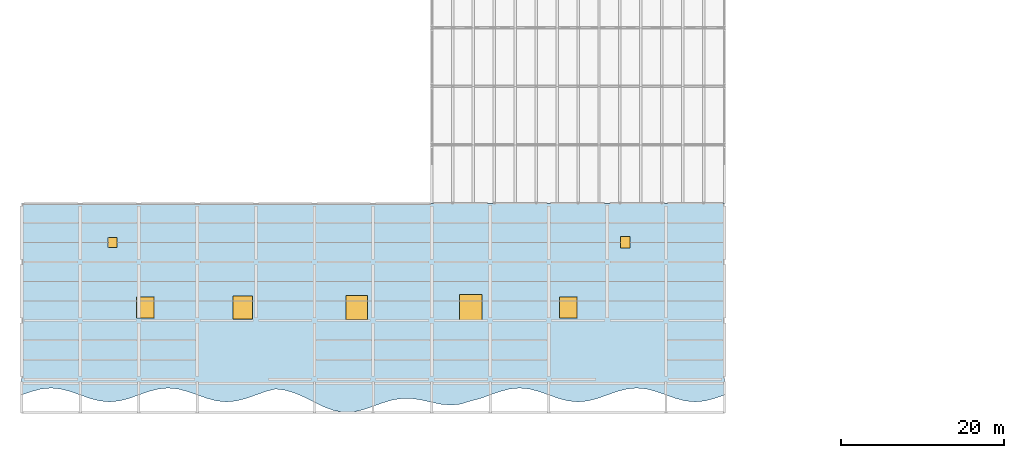
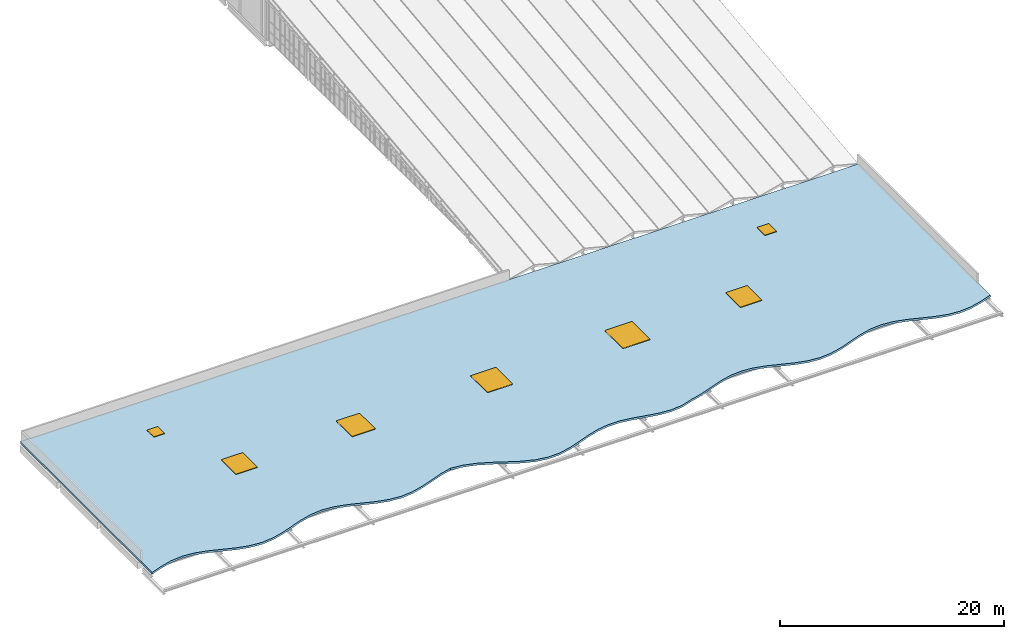
# One storey, part 29 of 48: 5 windows, 2 doors, 1 slab, 7 openings.
"""IFC4 building model written with IfcOpenShell, lengths in metres."""

from ifc_helpers import new_model, si_unit, direction, frame, origin, origin_2d, place, context, subcontext, project, spatial, polyline, rectangle, outline, extrude, material, layer, layer_set, type_object, element, fill, save


model = new_model("IFC4")

# Units and contexts
model_context = context("Model", 3, precision=1e-05, world=origin(), true_north=direction((0.0, 1.0)))
body_context = subcontext(model_context, "Body", "Model", "MODEL_VIEW")
ifc_project = project(units=[si_unit("LENGTHUNIT", "METRE"), si_unit("AREAUNIT", "SQUARE_METRE"), si_unit("VOLUMEUNIT", "CUBIC_METRE"), si_unit("PLANEANGLEUNIT", "RADIAN"), si_unit("MASSUNIT", "GRAM", prefix="KILO"), si_unit("THERMODYNAMICTEMPERATUREUNIT", "KELVIN"), si_unit("POWERUNIT", "WATT")], contexts=[model_context])

# Site, building, storey
site_placement = place(None, origin())
site = spatial("IfcSite", under=ifc_project, at=site_placement, CompositionType="ELEMENT")
building_placement = place(site_placement, origin())
building = spatial("IfcBuilding", under=site, at=building_placement, Name="Kaldorven Railside Theatre", CompositionType="ELEMENT")
storey_placement = place(building_placement, frame((0.0, 0.0, 18.89990234375)))
storey = spatial("IfcBuildingStorey", under=building, at=storey_placement, Name="L04", CompositionType="ELEMENT", Elevation=18.89990234375)

# Slab, openings, doors, windows
ifc_material_1 = material(Name="Concrete C35/45", Category="concrete")
ifc_layer = layer(ifc_material_1, 0.219970703125, Name="Concrete C35/45")
ifc_layer_set = layer_set([ifc_layer], Name="Concrete C35/45")
slab_type = type_object("IfcSlabType", Name="SLB-RSL-220", PredefinedType="ROOF", material=ifc_layer_set)
slab_placement = place(storey_placement, frame((0.0, 0.0, -0.219970703125)))
slab = element("IfcSlab", 1, at=slab_placement, inside=storey, type_object=slab_type, Name="Foyer Scalloped Roof Deck SL-L04-V5RF", PredefinedType="ROOF", context=body_context, shape_type="SweptSolid", body=[
    extrude(outline(polyline([(36.800048828125, 17.25), (38.0, 17.675048828125), (39.199951171875, 17.986083984375), (40.39990234375, 18.10009765625), (41.60009765625, 17.986083984375), (42.800048828125, 17.675048828125), (44.0, 17.25), (45.199951171875, 16.824951171875), (46.39990234375, 16.513916015625), (47.60009765625, 16.39990234375), (48.800048828125, 16.513916015625), (50.0, 16.824951171875), (51.199951171875, 17.25), (52.39990234375, 17.675048828125), (53.60009765625, 17.986083984375), (54.800048828125, 18.10009765625), (56.0, 17.986083984375), (57.199951171875, 17.675048828125), (58.39990234375, 17.25), (59.60009765625, 16.824951171875), (60.800048828125, 16.513916015625), (62.0, 16.39990234375), (63.199951171875, 16.513916015625), (64.39990234375, 16.824951171875), (65.60009765625, 17.25), (66.800048828125, 17.675048828125), (68.0, 17.986083984375), (69.199951171875, 17.830322265625), (70.39990234375, 17.476318359375), (71.60009765625, 16.954345703125), (72.800048828125, 16.347412109375), (74.0, 15.768798828125), (75.199951171875, 15.332275390625), (76.39990234375, 15.12109375), (77.60009765625, 15.165771484375), (78.800048828125, 15.435302734375), (80.0, 15.846435546875), (81.199951171875, 16.285400390625), (82.39990234375, 16.637939453125), (83.60009765625, 16.8212890625), (84.800048828125, 16.8046875), (86.0, 16.618896484375), (87.199951171875, 16.347412109375), (88.39990234375, 16.1044921875), (89.60009765625, 16.004150390625), (90.800048828125, 16.13037109375), (92.0, 16.513916015625), (93.199951171875, 16.824951171875), (94.39990234375, 17.25), (95.60009765625, 17.675048828125), (96.800048828125, 17.986083984375), (98.0, 18.10009765625), (99.199951171875, 17.986083984375), (100.39990234375, 17.675048828125), (101.60009765625, 17.25), (102.800048828125, 16.824951171875), (104.0, 16.513916015625), (105.199951171875, 16.39990234375), (106.39990234375, 16.513916015625), (107.60009765625, 16.824951171875), (108.800048828125, 17.25), (110.0, 17.675048828125), (111.199951171875, 17.986083984375), (112.39990234375, 18.10009765625), (113.60009765625, 17.986083984375), (114.800048828125, 17.675048828125), (116.0, 17.25), (117.199951171875, 16.824951171875), (118.39990234375, 16.513916015625), (119.60009765625, 16.39990234375), (120.800048828125, 16.513916015625), (122.0, 16.824951171875), (123.199951171875, 17.25), (123.199951171875, 40.800048828125), (36.800048828125, 40.800048828125), (36.800048828125, 17.25)])), origin(), (0.0, 0.0, 1.0), 0.219970703125),
])
opening_1_placement = place(slab_placement, frame((52.0, 28.0, -0.010009765625)))
opening_1 = element("IfcOpeningElement", 2, at=opening_1_placement, cuts=slab, Name="Opening SK-01", PredefinedType="OPENING", context=body_context, shape_type="SweptSolid", body=[
    extrude(rectangle(XDim=2.2080078125, YDim=2.608154296875, at=origin_2d()), origin(), (0.0, 0.0, 1.0), 0.2900390625),
])
opening_2_placement = place(slab_placement, frame((64.0, 28.0, -0.010009765625)))
opening_2 = element("IfcOpeningElement", 3, at=opening_2_placement, cuts=slab, Name="Opening SK-02", PredefinedType="OPENING", context=body_context, shape_type="SweptSolid", body=[
    extrude(rectangle(XDim=2.407958984375, YDim=2.80810546875, at=origin_2d()), origin(), (0.0, 0.0, 1.0), 0.2900390625),
])
opening_3_placement = place(slab_placement, frame((78.0, 28.0, -0.010009765625)))
opening_3 = element("IfcOpeningElement", 4, at=opening_3_placement, cuts=slab, Name="Opening SK-03", PredefinedType="OPENING", context=body_context, shape_type="SweptSolid", body=[
    extrude(rectangle(XDim=2.608154296875, YDim=3.008056640625, at=origin_2d()), origin(), (0.0, 0.0, 1.0), 0.2900390625),
])
opening_4_placement = place(slab_placement, frame((92.0, 28.0, -0.010009765625)))
opening_4 = element("IfcOpeningElement", 5, at=opening_4_placement, cuts=slab, Name="Opening SK-04", PredefinedType="OPENING", context=body_context, shape_type="SweptSolid", body=[
    extrude(rectangle(XDim=2.80810546875, YDim=3.2080078125, at=origin_2d()), origin(), (0.0, 0.0, 1.0), 0.2900390625),
])
opening_5_placement = place(slab_placement, frame((104.0, 28.0, -0.010009765625)))
opening_5 = element("IfcOpeningElement", 6, at=opening_5_placement, cuts=slab, Name="Opening SK-05", PredefinedType="OPENING", context=body_context, shape_type="SweptSolid", body=[
    extrude(rectangle(XDim=2.2080078125, YDim=2.608154296875, at=origin_2d()), origin(), (0.0, 0.0, 1.0), 0.2900390625),
])
opening_6_placement = place(slab_placement, frame((48.0, 36.0, -0.010009765625)))
opening_6 = element("IfcOpeningElement", 7, at=opening_6_placement, cuts=slab, Name="Opening RH-01", PredefinedType="OPENING", context=body_context, shape_type="SweptSolid", body=[
    extrude(rectangle(XDim=1.108154296875, YDim=1.2080078125, at=origin_2d()), origin(), (0.0, 0.0, 1.0), 0.2900390625),
])
opening_7_placement = place(slab_placement, frame((111.0, 36.0, -0.010009765625)))
opening_7 = element("IfcOpeningElement", 8, at=opening_7_placement, cuts=slab, Name="Opening RH-02", PredefinedType="OPENING", context=body_context, shape_type="SweptSolid", body=[
    extrude(rectangle(XDim=1.2080078125, YDim=1.407958984375, at=origin_2d()), origin(), (0.0, 0.0, 1.0), 0.2900390625),
])
ifc_material_2 = material(Name="Powder-coated hollow-metal steel", Category="steel")
door_type_1 = type_object("IfcDoorType", Name="DR-TD01", OperationType="NOTDEFINED", PredefinedType="TRAPDOOR", material=ifc_material_2)
door_1_placement = place(opening_6_placement, frame((0.0, 0.0, 0.22998046875)))
door_1 = element("IfcDoor", 9, at=door_1_placement, inside=storey, type_object=door_type_1, Name="Roof Maintenance Access Hatch RH-01", OperationType="SINGLE_SWING_LEFT", OverallHeight=1.199951171875, OverallWidth=1.10009765625, PredefinedType="TRAPDOOR", context=body_context, shape_type="SweptSolid", body=[
    extrude(rectangle(XDim=1.10009765625, YDim=1.199951171875, at=origin_2d()), origin(), (0.0, 0.0, 1.0), 0.050048828125),
])
fill(opening_6, door_1)
door_type_2 = type_object("IfcDoorType", Name="DR-TD02", OperationType="NOTDEFINED", PredefinedType="TRAPDOOR", material=ifc_material_2)
door_2_placement = place(opening_7_placement, frame((0.0, 0.0, 0.22998046875)))
door_2 = element("IfcDoor", 10, at=door_2_placement, inside=storey, type_object=door_type_2, Name="Roof Maintenance Access Hatch RH-02", OperationType="SINGLE_SWING_LEFT", OverallHeight=1.39990234375, OverallWidth=1.199951171875, PredefinedType="TRAPDOOR", context=body_context, shape_type="SweptSolid", body=[
    extrude(rectangle(XDim=1.199951171875, YDim=1.39990234375, at=origin_2d()), origin(), (0.0, 0.0, 1.0), 0.050048828125),
])
fill(opening_7, door_2)
ifc_material_3 = material(Name="Low-E laminated solar-control glass", Category="glass")
window_type_1 = type_object("IfcWindowType", Name="WN-SK01", PartitioningType="SINGLE_PANEL", PredefinedType="SKYLIGHT", material=ifc_material_3)
window_1_placement = place(opening_1_placement, frame((0.0, 0.0, 0.22998046875)))
window_1 = element("IfcWindow", 11, at=window_1_placement, inside=storey, type_object=window_type_1, Name="Automatic Roof Smoke Ventilator Skylight SK-01", OverallHeight=2.60009765625, OverallWidth=2.199951171875, PartitioningType="SINGLE_PANEL", PredefinedType="SKYLIGHT", context=body_context, shape_type="SweptSolid", body=[
    extrude(rectangle(XDim=2.199951171875, YDim=2.60009765625, at=origin_2d()), origin(), (0.0, 0.0, 1.0), 0.050048828125),
])
fill(opening_1, window_1)
window_2_placement = place(opening_5_placement, frame((0.0, 0.0, 0.22998046875)))
window_2 = element("IfcWindow", 12, at=window_2_placement, inside=storey, type_object=window_type_1, Name="Automatic Roof Smoke Ventilator Skylight SK-05", OverallHeight=2.60009765625, OverallWidth=2.199951171875, PartitioningType="SINGLE_PANEL", PredefinedType="SKYLIGHT", context=body_context, shape_type="SweptSolid", body=[
    extrude(rectangle(XDim=2.199951171875, YDim=2.60009765625, at=origin_2d()), origin(), (0.0, 0.0, 1.0), 0.050048828125),
])
fill(opening_5, window_2)
window_type_2 = type_object("IfcWindowType", Name="WN-SK02", PartitioningType="SINGLE_PANEL", PredefinedType="SKYLIGHT", material=ifc_material_3)
window_3_placement = place(opening_2_placement, frame((0.0, 0.0, 0.22998046875)))
window_3 = element("IfcWindow", 13, at=window_3_placement, inside=storey, type_object=window_type_2, Name="Automatic Roof Smoke Ventilator Skylight SK-02", OverallHeight=2.800048828125, OverallWidth=2.39990234375, PartitioningType="SINGLE_PANEL", PredefinedType="SKYLIGHT", context=body_context, shape_type="SweptSolid", body=[
    extrude(rectangle(XDim=2.39990234375, YDim=2.800048828125, at=origin_2d()), origin(), (0.0, 0.0, 1.0), 0.050048828125),
])
fill(opening_2, window_3)
window_type_3 = type_object("IfcWindowType", Name="WN-SK03", PartitioningType="SINGLE_PANEL", PredefinedType="SKYLIGHT", material=ifc_material_3)
window_4_placement = place(opening_3_placement, frame((0.0, 0.0, 0.22998046875)))
window_4 = element("IfcWindow", 14, at=window_4_placement, inside=storey, type_object=window_type_3, Name="Automatic Roof Smoke Ventilator Skylight SK-03", OverallHeight=3.0, OverallWidth=2.60009765625, PartitioningType="SINGLE_PANEL", PredefinedType="SKYLIGHT", context=body_context, shape_type="SweptSolid", body=[
    extrude(rectangle(XDim=2.60009765625, YDim=3.0, at=origin_2d()), origin(), (0.0, 0.0, 1.0), 0.050048828125),
])
fill(opening_3, window_4)
window_type_4 = type_object("IfcWindowType", Name="WN-SK04", PartitioningType="SINGLE_PANEL", PredefinedType="SKYLIGHT", material=ifc_material_3)
window_5_placement = place(opening_4_placement, frame((0.0, 0.0, 0.22998046875)))
window_5 = element("IfcWindow", 15, at=window_5_placement, inside=storey, type_object=window_type_4, Name="Automatic Roof Smoke Ventilator Skylight SK-04", OverallHeight=3.199951171875, OverallWidth=2.800048828125, PartitioningType="SINGLE_PANEL", PredefinedType="SKYLIGHT", context=body_context, shape_type="SweptSolid", body=[
    extrude(rectangle(XDim=2.800048828125, YDim=3.199951171875, at=origin_2d()), origin(), (0.0, 0.0, 1.0), 0.050048828125),
])
fill(opening_4, window_5)

save(model, "model.ifc")
